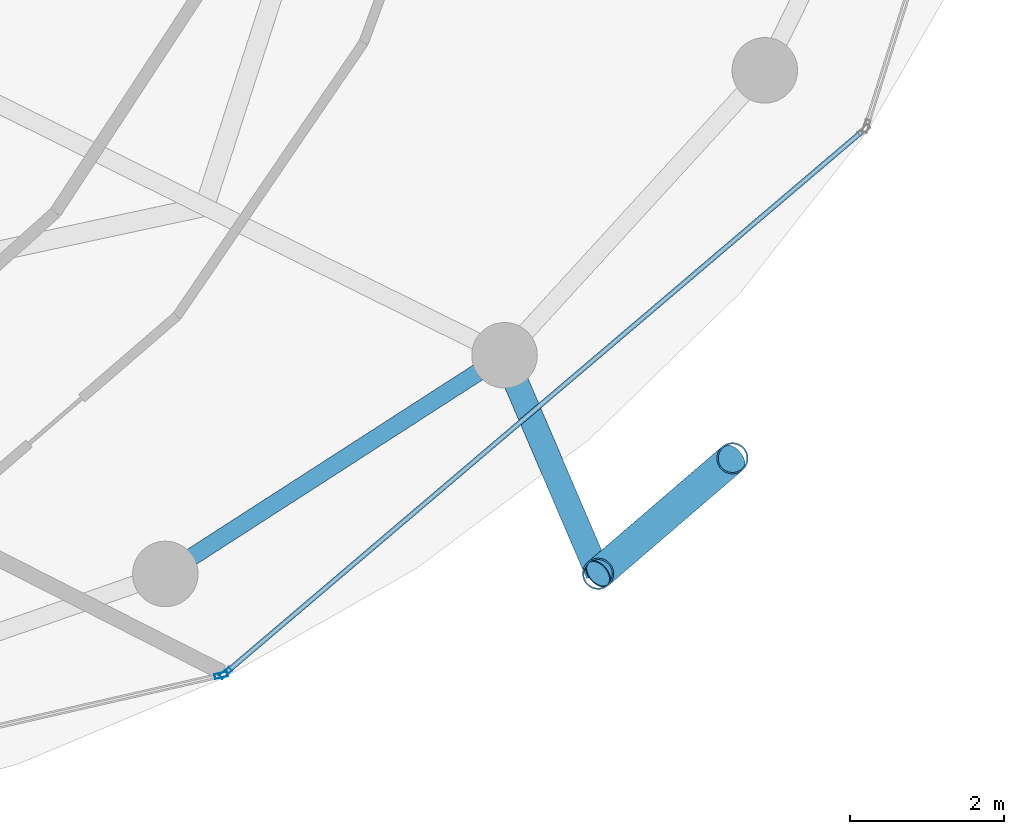
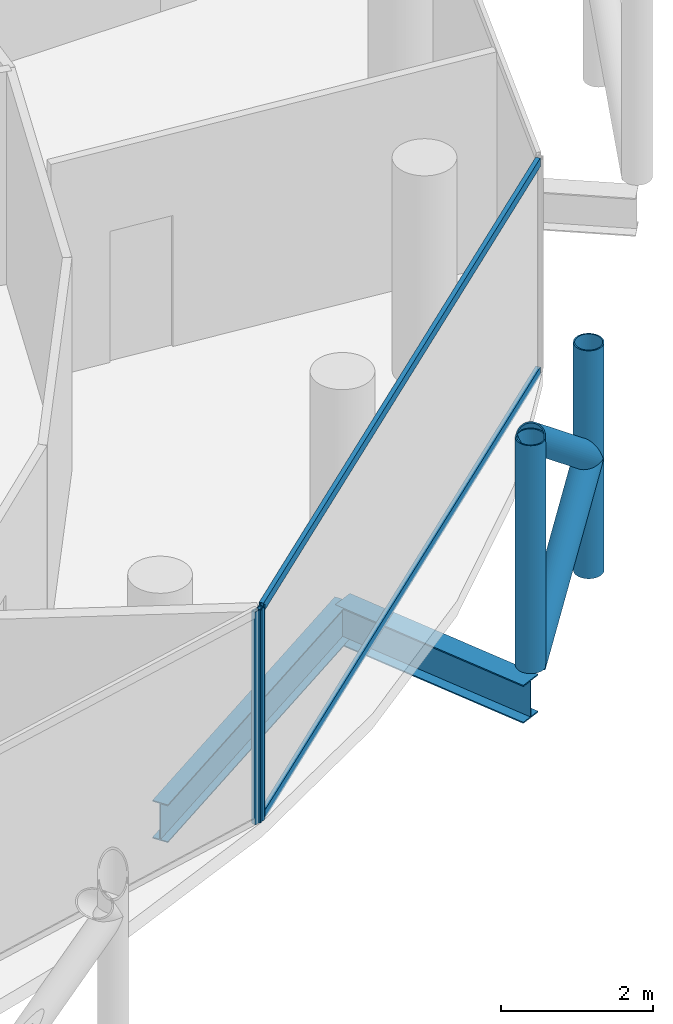
# One storey, part 11 of 27: 8 members, 2 beams, 2 elements without a shape of their own.
"""IFC4 building model written with IfcOpenShell, lengths in metres."""

from ifc_helpers import new_model, si_unit, direction, frame, origin, origin_2d, place, context, subcontext, project, spatial, hollow_rectangle, hollow_circle, i_section, extrude, material, layer, layer_set, material_profile, profile_set, type_object, element, aggregate, save


model = new_model("IFC4")

# Units and contexts
model_context = context("Model", 3, precision=1e-05, world=origin(), true_north=direction((0.0, 1.0)))
body_context = subcontext(model_context, "Body", "Model", "MODEL_VIEW")
ifc_project = project(units=[si_unit("LENGTHUNIT", "METRE"), si_unit("AREAUNIT", "SQUARE_METRE"), si_unit("VOLUMEUNIT", "CUBIC_METRE"), si_unit("PLANEANGLEUNIT", "RADIAN"), si_unit("MASSUNIT", "GRAM", prefix="KILO")], contexts=[model_context])

# Site, building, storey
site_placement = place(None, origin())
site = spatial("IfcSite", under=ifc_project, at=site_placement, CompositionType="ELEMENT")
building_placement = place(site_placement, origin())
building = spatial("IfcBuilding", under=site, at=building_placement, Name="Nuhasar Tower", CompositionType="ELEMENT")
storey_placement = place(building_placement, frame((0.0, 0.0, 226.39990234375)))
storey = spatial("IfcBuildingStorey", under=building, at=storey_placement, Name="L55", CompositionType="ELEMENT", Elevation=226.39990234375)

# Beams
ifc_material_1 = material(Name="Steel S355", Category="steel")
ifc_material_profile_1 = material_profile(ifc_material_1, i_section(OverallWidth=0.22802734375, OverallDepth=0.60791015625, WebThickness=0.01123046875, FlangeThickness=0.017333984375, at=origin_2d()), Name="W24X76")
ifc_profile_set_1 = profile_set([ifc_material_profile_1], Name="Steel S355")
beam_type_1 = type_object("IfcBeamType", Name="BM-RING-W24X76", PredefinedType="SPANDREL", material=ifc_profile_set_1)
beam_1_placement = place(storey_placement, frame((49.625, 11.341064453125, -0.5439453125), z_axis=(0.840502144969, 0.541808217272, 0.0), x_axis=(-0.541808217272, 0.840502144969, 0.0)))
element("IfcBeam", 1, at=beam_1_placement, inside=storey, type_object=beam_type_1, Name="L55 Perimeter Ring Spandrel 21", PredefinedType="SPANDREL", context=body_context, shape_type="SweptSolid", body=[
    extrude(i_section(OverallWidth=0.22802734375, OverallDepth=0.60791015625, WebThickness=0.01123046875, FlangeThickness=0.017333984375, at=origin_2d()), origin(), (0.0, 0.0, 1.0), 5.236083984375),
])
ifc_material_profile_2 = material_profile(ifc_material_1, i_section(OverallWidth=0.323974609375, OverallDepth=0.611083984375, WebThickness=0.0126953125, FlangeThickness=0.01904296875, at=origin_2d()), Name="W24X104")
ifc_profile_set_2 = profile_set([ifc_material_profile_2], Name="Steel S355")
beam_type_2 = type_object("IfcBeamType", Name="BM-TIE-W24X104", PredefinedType="BEAM", material=ifc_profile_set_2)
beam_2_placement = place(storey_placement, frame((54.02587890625, 14.177978515625, -0.544921875), z_axis=(0.393680429682, -0.919247365667, 0.0), x_axis=(0.919247365667, 0.393680429682, 0.0)))
element("IfcBeam", 2, at=beam_2_placement, inside=storey, type_object=beam_type_2, Name="L55 Exoskeleton Node Tie Beam 11", PredefinedType="BEAM", context=body_context, shape_type="SweptSolid", body=[
    extrude(i_section(OverallWidth=0.323974609375, OverallDepth=0.611083984375, WebThickness=0.0126953125, FlangeThickness=0.01904296875, at=origin_2d()), origin(), (0.0, 0.0, 1.0), 3.083984375),
])

# Curtain wall, member
ifc_material_2 = material(Name="Aluminium 6063-T6", Category="aluminium")
ifc_layer = layer(ifc_material_2, 0.18994140625)
ifc_layer_set = layer_set([ifc_layer], Name="Aluminium 6063-T6")
curtain_wall_type = type_object("IfcCurtainWallType", Name="CW-Z3-RES", PredefinedType="NOTDEFINED", material=ifc_layer_set)
curtain_wall_1_placement = place(storey_placement, origin())
curtain_wall_1 = element("IfcCurtainWall", 3, at=curtain_wall_1_placement, inside=storey, type_object=curtain_wall_type, Name="L55 Unitised Curtain Wall 10", PredefinedType="NOTDEFINED")
ifc_material_profile_3 = material_profile(ifc_material_2, hollow_rectangle(XDim=0.06494140625, YDim=0.169921875, WallThickness=0.0048828125, at=origin_2d()), Name="CWM-4")
ifc_profile_set_3 = profile_set([ifc_material_profile_3], Name="Aluminium 6063-T6")
member_type_1 = type_object("IfcMemberType", Name="CW-MUL-S4", PredefinedType="MULLION", material=ifc_profile_set_3)
member_1_placement = place(storey_placement, frame((50.348388671875, 10.02685546875, 0.0), z_axis=(0.0, 0.0, 1.0), x_axis=(-0.222243176313, 0.974991266926, 0.0)))
member_1 = element("IfcMember", 4, at=member_1_placement, type_object=member_type_1, Name="CW-Z3 mullion 2", PredefinedType="MULLION", context=body_context, shape_type="SweptSolid", body=[
    extrude(hollow_rectangle(XDim=0.06494140625, YDim=0.169921875, WallThickness=0.0048828125, at=origin_2d()), origin(), (0.0, 0.0, 1.0), 3.41015625),
])
aggregate(curtain_wall_1, [member_1])

# Curtain wall, members
curtain_wall_2_placement = place(storey_placement, origin())
curtain_wall_2 = element("IfcCurtainWall", 5, at=curtain_wall_2_placement, inside=storey, type_object=curtain_wall_type, Name="L55 Unitised Curtain Wall 11", PredefinedType="NOTDEFINED")
member_2_placement = place(storey_placement, frame((50.40478515625, 10.05517578125, 0.0), z_axis=(0.0, 0.0, 1.0), x_axis=(-0.64789521578, 0.761729472562, 0.0)))
member_2 = element("IfcMember", 6, at=member_2_placement, type_object=member_type_1, Name="CW-Z3 mullion 1", PredefinedType="MULLION", context=body_context, shape_type="SweptSolid", body=[
    extrude(hollow_rectangle(XDim=0.06494140625, YDim=0.169921875, WallThickness=0.0048828125, at=origin_2d()), origin(), (0.0, 0.0, 1.0), 3.41015625),
])
ifc_material_profile_4 = material_profile(ifc_material_2, hollow_rectangle(XDim=0.06494140625, YDim=0.139892578125, WallThickness=0.00439453125, at=origin_2d()), Name="CWT-4")
ifc_profile_set_4 = profile_set([ifc_material_profile_4], Name="Aluminium 6063-T6")
member_type_2 = type_object("IfcMemberType", Name="CW-TRN-S4", PredefinedType="USERDEFINED", material=ifc_profile_set_4)
member_3_placement = place(storey_placement, frame((50.429443359375, 10.076171875, 0.03271484375), z_axis=(0.761730809511, 0.647893643928, 0.0), x_axis=(-0.647893643928, 0.761730809511, 0.0)))
member_3 = element("IfcMember", 7, at=member_3_placement, type_object=member_type_2, Name="CW-Z3 transom 1.1", ObjectType="TRANSOM", PredefinedType="USERDEFINED", context=body_context, shape_type="SweptSolid", body=[
    extrude(hollow_rectangle(XDim=0.06494140625, YDim=0.139892578125, WallThickness=0.00439453125, at=origin_2d()), origin(), (0.0, 0.0, 1.0), 10.806884765625),
])
member_4_placement = place(storey_placement, frame((50.429443359375, 10.076171875, 3.377685546875), z_axis=(0.761730809511, 0.647893643928, 0.0), x_axis=(-0.647893643928, 0.761730809511, 0.0)))
member_4 = element("IfcMember", 8, at=member_4_placement, type_object=member_type_2, Name="CW-Z3 transom 1.2", ObjectType="TRANSOM", PredefinedType="USERDEFINED", context=body_context, shape_type="SweptSolid", body=[
    extrude(hollow_rectangle(XDim=0.06494140625, YDim=0.139892578125, WallThickness=0.00439453125, at=origin_2d()), origin(), (0.0, 0.0, 1.0), 10.806884765625),
])
aggregate(curtain_wall_2, [member_2, member_3, member_4])

# Members
ifc_material_3 = material(Name="Steel S460", Category="steel")
ifc_material_profile_5 = material_profile(ifc_material_3, hollow_circle(Radius=0.203125, WallThickness=0.01904296875, at=origin_2d()), Name="HSS406.4X19.1")
ifc_profile_set_5 = profile_set([ifc_material_profile_5], Name="Steel S460")
member_type_3 = type_object("IfcMemberType", Name="EXO-BRONZE-406", PredefinedType="BRACE", material=ifc_profile_set_5)
for number, where, z_axis, x_axis, name in (
    (9, (55.239990234375, 11.343017578125, 0.0), (0.0, 0.0, 1.0), (1.0, 0.0, 0.0), "L55 Exoskeleton Chord Column EC-11A"),
    (10, (56.98388671875, 12.842041015625, 0.0), (0.0, 0.0, 1.0), (1.0, 0.0, 0.0), "L55 Exoskeleton Chord Column EC-11B"),
):
    element("IfcMember", number, at=place(storey_placement, frame(where, z_axis=z_axis, x_axis=x_axis)), inside=storey, type_object=member_type_3, Name=name, PredefinedType="BRACE", context=body_context, shape_type="SweptSolid", body=[
        extrude(hollow_circle(Radius=0.203125, WallThickness=0.01904296875, at=origin_2d()), origin(), (0.0, 0.0, 1.0), 3.650146484375),
    ])
for number, where, z_axis, x_axis, name in (
    (11, (55.239990234375, 11.343017578125, 0.0), (0.593987827832, 0.51058172517, 0.621678986543), (-0.65185738425, 0.758341579104, 0.0), "L55 Bronze Diagrid Brace W1-11"),
    (12, (56.98388671875, 12.842041015625, 1.8251953125), (-0.594018535389, -0.510608120858, 0.621627964725), (0.65185738425, -0.758341579104, 0.0), "L55 Bronze Diagrid Brace W2-11"),
):
    element("IfcMember", number, at=place(storey_placement, frame(where, z_axis=z_axis, x_axis=x_axis)), inside=storey, type_object=member_type_3, Name=name, PredefinedType="BRACE", context=body_context, shape_type="SweptSolid", body=[
        extrude(hollow_circle(Radius=0.203125, WallThickness=0.01904296875, at=origin_2d()), origin(), (0.0, 0.0, 1.0), 2.935791015625),
    ])

save(model, "model.ifc")
